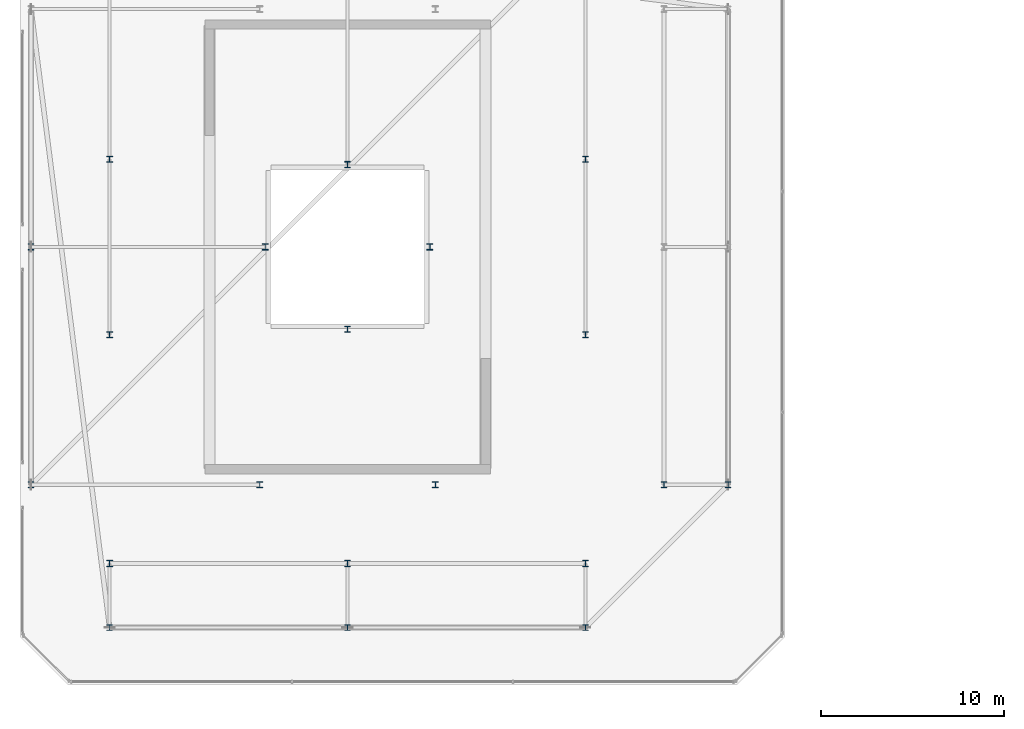
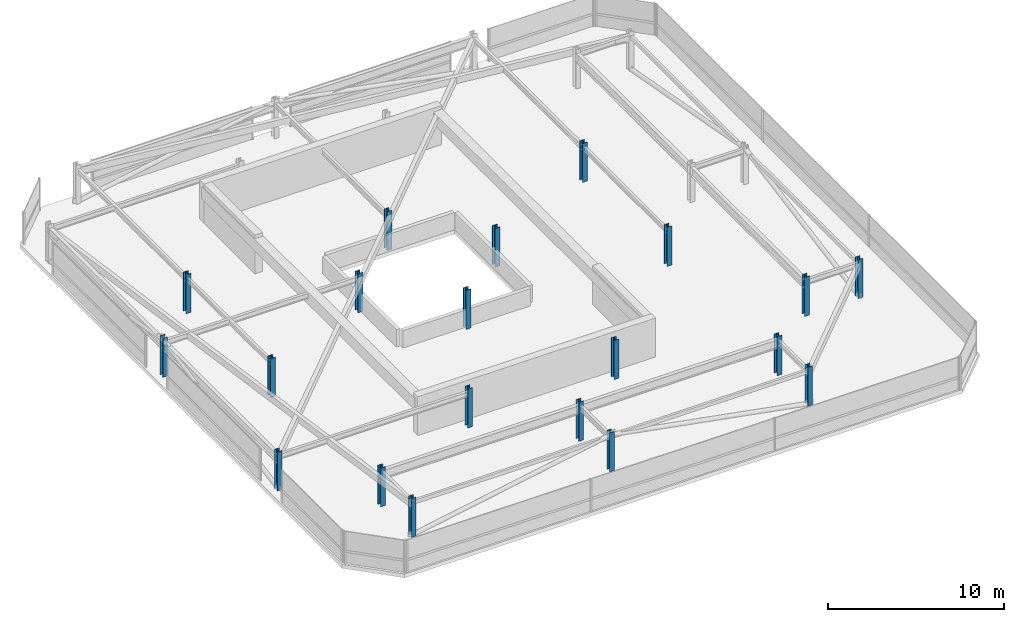
# One storey, part 1 of 42: 20 columns.
"""IFC4 building model written with IfcOpenShell, lengths in metres."""

from ifc_helpers import new_model, si_unit, direction, frame, origin, origin_2d, place, context, subcontext, project, spatial, i_section, extrude, material, material_profile, profile_set, type_object, element, save


model = new_model("IFC4")

# Units and contexts
model_context = context("Model", 3, precision=1e-05, world=origin(), true_north=direction((0.0, 1.0)))
body_context = subcontext(model_context, "Body", "Model", "MODEL_VIEW")
ifc_project = project(units=[si_unit("LENGTHUNIT", "METRE"), si_unit("AREAUNIT", "SQUARE_METRE"), si_unit("VOLUMEUNIT", "CUBIC_METRE"), si_unit("PLANEANGLEUNIT", "RADIAN"), si_unit("MASSUNIT", "GRAM", prefix="KILO")], contexts=[model_context])

# Site, building, storey
site_placement = place(None, origin())
site = spatial("IfcSite", under=ifc_project, at=site_placement, CompositionType="ELEMENT")
building_placement = place(site_placement, origin())
building = spatial("IfcBuilding", under=site, at=building_placement, Name="Thornwick Lancets Civic Towers", CompositionType="ELEMENT")
storey_placement = place(building_placement, frame((0.0, 0.0, 286.800048828125)))
storey = spatial("IfcBuildingStorey", under=building, at=storey_placement, Name="C03", CompositionType="ELEMENT", Elevation=286.800048828125)

# Columns
ifc_material = material(Name="Steel S355JR", Category="steel")
ifc_material_profile_1 = material_profile(ifc_material, i_section(OverallWidth=0.30908203125, OverallDepth=0.320556640625, WebThickness=0.013916015625, FlangeThickness=0.021728515625, FilletRadius=0.01513671875, at=origin_2d()), Name="UKC 305x305x137")
ifc_profile_set_1 = profile_set([ifc_material_profile_1], Name="Steel S355JR")
column_type_1 = type_object("IfcColumnType", Name="COL_UKC_137", PredefinedType="COLUMN", material=ifc_profile_set_1)
for number, where, z_axis, x_axis, name in (
    (1, (12.5, 6.199951171875, 0.0), (0.0, 0.0, 1.0), (1.0, 0.0, 0.0), "C03 Block Perimeter Column A01"),
    (2, (25.5, 6.199951171875, 0.0), (0.0, 0.0, 1.0), (1.0, 0.0, 0.0), "C03 Block Perimeter Column A02"),
    (3, (38.5, 6.199951171875, 0.0), (0.0, 0.0, 1.0), (1.0, 0.0, 0.0), "C03 Block Perimeter Column A03"),
    (4, (46.300048828125, 14.0, 0.0), (0.0, 0.0, 1.0), (1.0, 0.0, 0.0), "C03 Block Perimeter Column A04"),
):
    element("IfcColumn", number, at=place(storey_placement, frame(where, z_axis=z_axis, x_axis=x_axis)), inside=storey, type_object=column_type_1, Name=name, PredefinedType="COLUMN", context=body_context, shape_type="SweptSolid", body=[
        extrude(i_section(OverallWidth=0.30908203125, OverallDepth=0.320556640625, WebThickness=0.013916015625, FlangeThickness=0.021728515625, FilletRadius=0.01513671875, at=origin_2d()), origin(), (0.0, 0.0, 1.0), 2.699951171875),
    ])
ifc_material_profile_2 = material_profile(ifc_material, i_section(OverallWidth=0.314453125, OverallDepth=0.33984375, WebThickness=0.01904296875, FlangeThickness=0.031494140625, FilletRadius=0.01513671875, at=origin_2d()), Name="UKC 305x305x198")
ifc_profile_set_2 = profile_set([ifc_material_profile_2], Name="Steel S355JR")
column_type_2 = type_object("IfcColumnType", Name="COL_UKC_198", PredefinedType="COLUMN", material=ifc_profile_set_2)
for number, where, z_axis, x_axis, name in (
    (5, (12.5, 9.699951171875, 0.0), (0.0, 0.0, 1.0), (1.0, 0.0, 0.0), "C03 Spine Mega-Column A01"),
    (6, (25.5, 9.699951171875, 0.0), (0.0, 0.0, 1.0), (1.0, 0.0, 0.0), "C03 Spine Mega-Column A02"),
    (7, (38.5, 9.699951171875, 0.0), (0.0, 0.0, 1.0), (1.0, 0.0, 0.0), "C03 Spine Mega-Column A03"),
    (8, (42.800048828125, 14.0, 0.0), (0.0, 0.0, 1.0), (1.0, 0.0, 0.0), "C03 Spine Mega-Column A04"),
    (9, (8.199951171875, 14.0, 0.0), (0.0, 0.0, 1.0), (1.0, 0.0, 0.0), "C03 Spine Mega-Column A10"),
    (10, (8.199951171875, 27.0, 0.0), (0.0, 0.0, 1.0), (1.0, 0.0, 0.0), "C03 Spine Mega-Column A11"),
    (11, (12.5, 22.199951171875, 0.0), (0.0, 0.0, 1.0), (1.0, 0.0, 0.0), "C03 Spine Mega-Column A13"),
    (12, (38.5, 22.199951171875, 0.0), (0.0, 0.0, 1.0), (1.0, 0.0, 0.0), "C03 Spine Mega-Column A14"),
    (13, (12.5, 31.800048828125, 0.0), (0.0, 0.0, 1.0), (1.0, 0.0, 0.0), "C03 Spine Mega-Column A15"),
    (14, (38.5, 31.800048828125, 0.0), (0.0, 0.0, 1.0), (1.0, 0.0, 0.0), "C03 Spine Mega-Column A16"),
    (15, (20.699951171875, 14.0, 0.0), (0.0, 0.0, 1.0), (1.0, 0.0, 0.0), "C03 Spine Mega-Column A17"),
    (16, (30.300048828125, 14.0, 0.0), (0.0, 0.0, 1.0), (1.0, 0.0, 0.0), "C03 Spine Mega-Column A18"),
    (17, (25.5, 22.5, 0.0), (0.0, 0.0, 1.0), (1.0, 0.0, 0.0), "C03 Spine Mega-Column A21"),
    (18, (25.5, 31.5, 0.0), (0.0, 0.0, 1.0), (1.0, 0.0, 0.0), "C03 Spine Mega-Column A22"),
    (19, (21.0, 27.0, 0.0), (0.0, 0.0, 1.0), (1.0, 0.0, 0.0), "C03 Spine Mega-Column A23"),
    (20, (30.0, 27.0, 0.0), (0.0, 0.0, 1.0), (1.0, 0.0, 0.0), "C03 Spine Mega-Column A24"),
):
    element("IfcColumn", number, at=place(storey_placement, frame(where, z_axis=z_axis, x_axis=x_axis)), inside=storey, type_object=column_type_2, Name=name, PredefinedType="COLUMN", context=body_context, shape_type="SweptSolid", body=[
        extrude(i_section(OverallWidth=0.314453125, OverallDepth=0.33984375, WebThickness=0.01904296875, FlangeThickness=0.031494140625, FilletRadius=0.01513671875, at=origin_2d()), origin(), (0.0, 0.0, 1.0), 2.699951171875),
    ])

save(model, "model.ifc")
